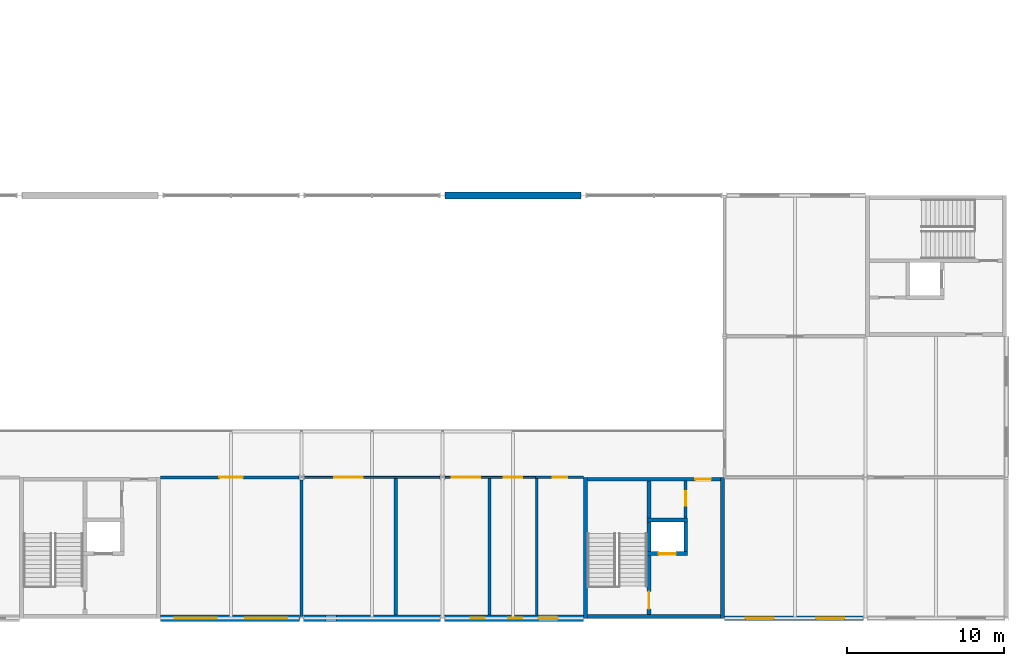
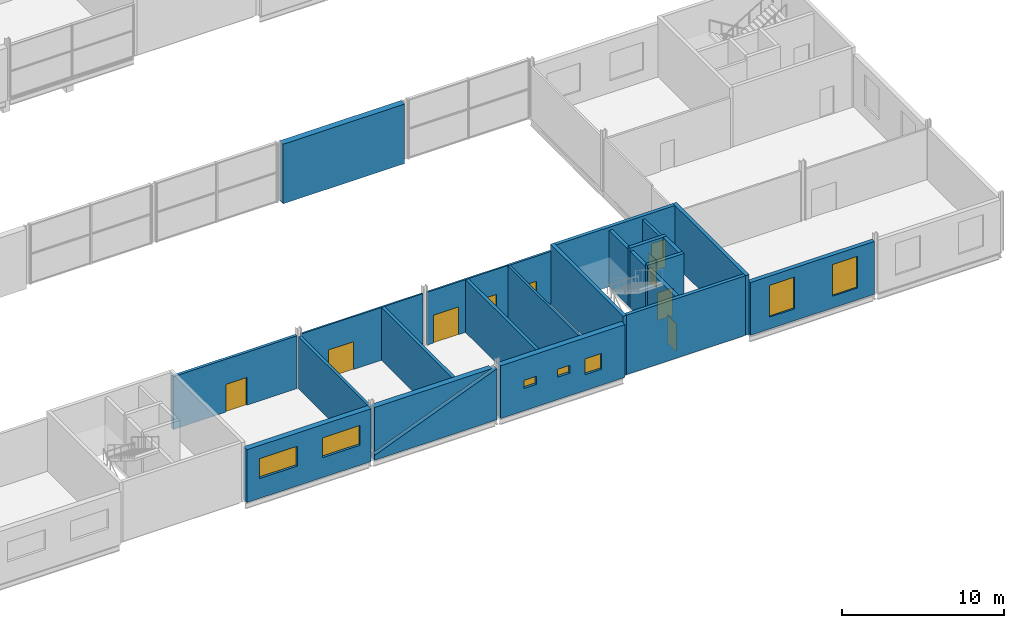
# One storey, part 81 of 97: 23 walls, 9 doors, 7 windows, 16 openings.
"""IFC4 building model written with IfcOpenShell, lengths in metres."""

from ifc_helpers import new_model, si_unit, direction, frame, frame_2d, origin, place, context, subcontext, project, spatial, polyline, rectangle, outline, extrude, material, layer, layer_set, type_object, element, fill, save


model = new_model("IFC4")

# Units and contexts
model_context = context("Model", 3, precision=1e-05, world=origin(), true_north=direction((0.0, 1.0)))
body_context = subcontext(model_context, "Body", "Model", "MODEL_VIEW")
ifc_project = project(units=[si_unit("LENGTHUNIT", "METRE"), si_unit("AREAUNIT", "SQUARE_METRE"), si_unit("VOLUMEUNIT", "CUBIC_METRE"), si_unit("PLANEANGLEUNIT", "RADIAN"), si_unit("MASSUNIT", "GRAM", prefix="KILO")], contexts=[model_context])

# Site, building, storey
site_placement = place(None, origin())
site = spatial("IfcSite", under=ifc_project, at=site_placement, CompositionType="ELEMENT")
building_placement = place(site_placement, origin())
building = spatial("IfcBuilding", under=site, at=building_placement, Name="Corbel Yard City Hall", CompositionType="ELEMENT")
storey_placement = place(building_placement, frame((0.0, 0.0, 6.0)))
storey = spatial("IfcBuildingStorey", under=building, at=storey_placement, Name="L01", CompositionType="ELEMENT", Elevation=6.0)

# Walls
ifc_material_1 = material(Name="Concrete N50 (50 MPa)", Category="concrete")
ifc_layer_1 = layer(ifc_material_1, 0.25)
ifc_layer_set_1 = layer_set([ifc_layer_1], Name="Concrete N50 (50 MPa)")
wall_type_1 = type_object("IfcWallType", Name="Core cell wall 250", PredefinedType="SHEAR", material=ifc_layer_set_1)
for number, where, z_axis, x_axis, name in (
    (1, (153.125, 0.0, 0.0), (0.0, 0.0, 1.0), (0.0, 1.0, 0.0), "Core PC-S4 west wall"),
    (2, (161.875, 0.0, 0.0), (0.0, 0.0, 1.0), (0.0, 1.0, 0.0), "Core PC-S4 east wall"),
):
    element("IfcWall", number, at=place(storey_placement, frame(where, z_axis=z_axis, x_axis=x_axis)), inside=storey, type_object=wall_type_1, Name=name, PredefinedType="SHEAR", context=body_context, shape_type="SweptSolid", body=[
        extrude(rectangle(XDim=9.0, YDim=0.25, at=frame_2d((4.5, 0.0))), origin(), (0.0, 0.0, 1.0), 4.5),
    ])
wall_1_placement = place(storey_placement, frame((153.25, 0.125, 0.0), z_axis=(0.0, 0.0, 1.0), x_axis=(1.0, 0.0, 0.0)))
element("IfcWall", 3, at=wall_1_placement, inside=storey, type_object=wall_type_1, Name="Core PC-S4 south wall", PredefinedType="SHEAR", context=body_context, shape_type="SweptSolid", body=[
    extrude(rectangle(XDim=8.5, YDim=0.25, at=frame_2d((4.25, 0.0))), origin(), (0.0, 0.0, 1.0), 4.5),
])

# Wall, opening, door
wall_2_placement = place(storey_placement, frame((153.25, 8.875, 0.0), z_axis=(0.0, 0.0, 1.0), x_axis=(1.0, 0.0, 0.0)))
wall_2 = element("IfcWall", 4, at=wall_2_placement, inside=storey, type_object=wall_type_1, Name="Core PC-S4 north wall", PredefinedType="SHEAR", context=body_context, shape_type="SweptSolid", body=[
    extrude(rectangle(XDim=8.5, YDim=0.25, at=frame_2d((4.25, 0.0))), origin(), (0.0, 0.0, 1.0), 4.5),
])
opening_1_placement = place(wall_2_placement, frame((6.887451171875, 0.0, 0.0)))
opening_1 = element("IfcOpeningElement", 5, at=opening_1_placement, cuts=wall_2, Name="Opening L01-027", PredefinedType="OPENING", context=body_context, shape_type="SweptSolid", body=[
    extrude(rectangle(XDim=1.0, YDim=2.10009765625, at=frame_2d((0.5, 1.050048828125))), frame((0.0, 0.135009765625, 0.0), z_axis=(0.0, -1.0, 0.0), x_axis=(1.0, 0.0, 0.0)), (0.0, 0.0, 1.0), 0.27001953125),
])
ifc_material_2 = material(Name="Steel Grade G250", Category="steel")
door_type_1 = type_object("IfcDoorType", Name="FS1", OperationType="SINGLE_SWING_LEFT", PredefinedType="DOOR", material=ifc_material_2)
door_1_placement = place(opening_1_placement, frame((1.0, 0.0, 0.0), z_axis=(0.0, 0.0, 1.0), x_axis=(-1.0, 0.0, 0.0)))
door_1 = element("IfcDoor", 6, at=door_1_placement, inside=storey, type_object=door_type_1, Name="Door Lift Lobby", OperationType="SINGLE_SWING_RIGHT", OverallHeight=2.10009765625, OverallWidth=1.0, PredefinedType="DOOR", context=body_context, shape_type="SweptSolid", body=[
    extrude(rectangle(XDim=1.0, YDim=2.10009765625, at=frame_2d((0.5, 1.050048828125))), frame((0.0, 0.02490234375, 0.0), z_axis=(0.0, -1.0, 0.0), x_axis=(1.0, 0.0, 0.0)), (0.0, 0.0, 1.0), 0.050048828125),
])
fill(opening_1, door_1)

# Wall, openings, windows
ifc_material_3 = material(Name="Sandstone cladding", Category="masonry")
ifc_layer_2 = layer(ifc_material_3, 0.0400390625)
ifc_material_4 = material(Name="Air cavity", Category="air")
ifc_layer_3 = layer(ifc_material_4, 0.0400390625)
ifc_material_5 = material(Name="Concrete block", Category="concrete")
ifc_layer_4 = layer(ifc_material_5, 0.18994140625)
ifc_material_6 = material(Name="Gypsum plasterboard", Category="gypsum")
ifc_layer_5 = layer(ifc_material_6, 0.030029296875)
ifc_layer_set_2 = layer_set([ifc_layer_2, ifc_layer_3, ifc_layer_4, ifc_layer_5], Name="Concrete block")
wall_type_2 = type_object("IfcWallType", Name="EW1", PredefinedType="SOLIDWALL", material=ifc_layer_set_2)
wall_3_placement = place(storey_placement, frame((162.0, 0.0, 0.0), z_axis=(0.0, 0.0, 1.0), x_axis=(1.0, 0.0, 0.0)))
wall_3 = element("IfcWall", 7, at=wall_3_placement, inside=storey, type_object=wall_type_2, Name="External wall", PredefinedType="SOLIDWALL", context=body_context, shape_type="SweptSolid", body=[
    extrude(rectangle(XDim=8.8701171875, YDim=0.300048828125, at=frame_2d((4.43505859375, 0.0))), origin(), (0.0, 0.0, 1.0), 3.990966796875),
])
opening_2_placement = place(wall_3_placement, frame((1.35009765625, 0.0, 0.89990234375)))
opening_2 = element("IfcOpeningElement", 8, at=opening_2_placement, cuts=wall_3, Name="Opening WN1", PredefinedType="OPENING", context=body_context, shape_type="SweptSolid", body=[
    extrude(rectangle(XDim=1.800048828125, YDim=2.39990234375, at=frame_2d((0.89990234375, 1.199951171875))), frame((0.0, 0.159912109375, 0.0), z_axis=(0.0, -1.0, 0.0), x_axis=(1.0, 0.0, 0.0)), (0.0, 0.0, 1.0), 0.320068359375),
])
opening_3_placement = place(wall_3_placement, frame((5.85009765625, 0.0, 0.89990234375)))
opening_3 = element("IfcOpeningElement", 9, at=opening_3_placement, cuts=wall_3, Name="Opening WN1", PredefinedType="OPENING", context=body_context, shape_type="SweptSolid", body=[
    extrude(rectangle(XDim=1.800048828125, YDim=2.39990234375, at=frame_2d((0.89990234375, 1.199951171875))), frame((0.0, 0.159912109375, 0.0), z_axis=(0.0, -1.0, 0.0), x_axis=(1.0, 0.0, 0.0)), (0.0, 0.0, 1.0), 0.320068359375),
])
ifc_material_7 = material(Name="Aluminium frame, double glazed low-e glass", Category="aluminium")
window_type_1 = type_object("IfcWindowType", Name="WN1", PartitioningType="SINGLE_PANEL", PredefinedType="WINDOW", material=ifc_material_7)
window_1_placement = place(opening_2_placement, origin())
window_1 = element("IfcWindow", 10, at=window_1_placement, inside=storey, type_object=window_type_1, Name="Window WN1 L01", OverallHeight=2.39990234375, OverallWidth=1.800048828125, PartitioningType="SINGLE_PANEL", PredefinedType="WINDOW", context=body_context, shape_type="SweptSolid", body=[
    extrude(rectangle(XDim=1.800048828125, YDim=2.39990234375, at=frame_2d((0.89990234375, 1.199951171875))), frame((0.0, 0.030029296875, 0.0), z_axis=(0.0, -1.0, 0.0), x_axis=(1.0, 0.0, 0.0)), (0.0, 0.0, 1.0), 0.06005859375),
])
fill(opening_2, window_1)
window_2_placement = place(opening_3_placement, origin())
window_2 = element("IfcWindow", 11, at=window_2_placement, inside=storey, type_object=window_type_1, Name="Window WN1 L01", OverallHeight=2.39990234375, OverallWidth=1.800048828125, PartitioningType="SINGLE_PANEL", PredefinedType="WINDOW", context=body_context, shape_type="SweptSolid", body=[
    extrude(rectangle(XDim=1.800048828125, YDim=2.39990234375, at=frame_2d((0.89990234375, 1.199951171875))), frame((0.0, 0.030029296875, 0.0), z_axis=(0.0, -1.0, 0.0), x_axis=(1.0, 0.0, 0.0)), (0.0, 0.0, 1.0), 0.06005859375),
])
fill(opening_3, window_2)

# Wall
ifc_layer_6 = layer(ifc_material_3, 0.06005859375)
ifc_layer_7 = layer(ifc_material_4, 0.0400390625)
ifc_material_8 = material(Name="Concrete N40 (40 MPa)", Category="concrete")
ifc_layer_8 = layer(ifc_material_8, 0.25)
ifc_material_9 = material(Name="Mineral wool", Category="insulation")
ifc_layer_9 = layer(ifc_material_9, 0.10009765625)
ifc_layer_set_3 = layer_set([ifc_layer_6, ifc_layer_7, ifc_layer_8, ifc_layer_9], Name="Concrete N40 (40 MPa)")
wall_type_3 = type_object("IfcWallType", Name="EW2", PredefinedType="SOLIDWALL", material=ifc_layer_set_3)
wall_4_placement = place(storey_placement, frame((144.157470703125, 27.0, -0.14990234375), z_axis=(0.0, 0.0, 1.0), x_axis=(1.0, 0.0, 0.0)))
element("IfcWall", 12, at=wall_4_placement, inside=storey, type_object=wall_type_3, Name="Entrance pier wall", PredefinedType="SOLIDWALL", context=body_context, shape_type="SweptSolid", body=[
    extrude(rectangle(XDim=8.68505859375, YDim=0.449951171875, at=frame_2d((4.342529296875, 0.0))), origin(), (0.0, 0.0, 1.0), 4.5),
])

# Wall, openings, windows
ifc_layer_10 = layer(ifc_material_6, 0.031982421875)
ifc_layer_11 = layer(ifc_material_4, 0.133056640625)
ifc_layer_12 = layer(ifc_material_5, 0.18994140625)
ifc_material_10 = material(Name="Cement render", Category="render")
ifc_layer_13 = layer(ifc_material_10, 0.0400390625)
ifc_material_11 = material(Name="Acoustic sealant", Category="sealant")
ifc_layer_14 = layer(ifc_material_11, 0.0048828125)
ifc_layer_set_4 = layer_set([ifc_layer_10, ifc_layer_11, ifc_layer_12, ifc_layer_13, ifc_layer_14], Name="Concrete block")
wall_type_4 = type_object("IfcWallType", Name="EW3", PredefinedType="SOLIDWALL", material=ifc_layer_set_4)
wall_5_placement = place(storey_placement, frame((126.0, 0.0, 0.0), z_axis=(0.0, 0.0, 1.0), x_axis=(1.0, 0.0, 0.0)))
wall_5 = element("IfcWall", 13, at=wall_5_placement, inside=storey, type_object=wall_type_4, Name="Acoustic wall", PredefinedType="SOLIDWALL", context=body_context, shape_type="SweptSolid", body=[
    extrude(rectangle(XDim=8.8701171875, YDim=0.39990234375, at=frame_2d((4.43505859375, 0.0))), origin(), (0.0, 0.0, 1.0), 3.990966796875),
])
opening_4_placement = place(wall_5_placement, frame((0.89990234375, 0.0, 1.5)))
opening_4 = element("IfcOpeningElement", 14, at=opening_4_placement, cuts=wall_5, Name="Opening WN3", PredefinedType="OPENING", context=body_context, shape_type="SweptSolid", body=[
    extrude(rectangle(XDim=2.699951171875, YDim=1.5, at=frame_2d((1.35009765625, 0.75))), frame((0.0, 0.2099609375, 0.0), z_axis=(0.0, -1.0, 0.0), x_axis=(1.0, 0.0, 0.0)), (0.0, 0.0, 1.0), 0.419921875),
])
opening_5_placement = place(wall_5_placement, frame((5.39990234375, 0.0, 1.5)))
opening_5 = element("IfcOpeningElement", 15, at=opening_5_placement, cuts=wall_5, Name="Opening WN3", PredefinedType="OPENING", context=body_context, shape_type="SweptSolid", body=[
    extrude(rectangle(XDim=2.699951171875, YDim=1.5, at=frame_2d((1.35009765625, 0.75))), frame((0.0, 0.2099609375, 0.0), z_axis=(0.0, -1.0, 0.0), x_axis=(1.0, 0.0, 0.0)), (0.0, 0.0, 1.0), 0.419921875),
])
ifc_material_12 = material(Name="Aluminium frame, laminated acoustic glass", Category="aluminium")
window_type_2 = type_object("IfcWindowType", Name="WN3", PartitioningType="SINGLE_PANEL", PredefinedType="WINDOW", material=ifc_material_12)
window_3_placement = place(opening_4_placement, origin())
window_3 = element("IfcWindow", 16, at=window_3_placement, inside=storey, type_object=window_type_2, Name="Window WN3 L01", OverallHeight=1.5, OverallWidth=2.699951171875, PartitioningType="SINGLE_PANEL", PredefinedType="WINDOW", context=body_context, shape_type="SweptSolid", body=[
    extrude(rectangle(XDim=2.699951171875, YDim=1.5, at=frame_2d((1.35009765625, 0.75))), frame((0.0, 0.030029296875, 0.0), z_axis=(0.0, -1.0, 0.0), x_axis=(1.0, 0.0, 0.0)), (0.0, 0.0, 1.0), 0.06005859375),
])
fill(opening_4, window_3)
window_4_placement = place(opening_5_placement, origin())
window_4 = element("IfcWindow", 17, at=window_4_placement, inside=storey, type_object=window_type_2, Name="Window WN3 L01", OverallHeight=1.5, OverallWidth=2.699951171875, PartitioningType="SINGLE_PANEL", PredefinedType="WINDOW", context=body_context, shape_type="SweptSolid", body=[
    extrude(rectangle(XDim=2.699951171875, YDim=1.5, at=frame_2d((1.35009765625, 0.75))), frame((0.0, 0.030029296875, 0.0), z_axis=(0.0, -1.0, 0.0), x_axis=(1.0, 0.0, 0.0)), (0.0, 0.0, 1.0), 0.06005859375),
])
fill(opening_5, window_4)

# Walls
wall_6_placement = place(storey_placement, frame((135.1298828125, 0.0, 0.0), z_axis=(0.0, 0.0, 1.0), x_axis=(1.0, 0.0, 0.0)))
element("IfcWall", 18, at=wall_6_placement, inside=storey, type_object=wall_type_4, Name="Acoustic wall", PredefinedType="SOLIDWALL", context=body_context, shape_type="SweptSolid", body=[
    extrude(outline(polyline([(8.739990234375, 0.0), (0.0, 0.0), (0.0, 0.5), (0.048095703125, 0.379638671875), (8.739990234375, 3.8603515625), (8.739990234375, 0.0)])), frame((0.0, 0.199951171875, 0.0), z_axis=(0.0, -1.0, 0.0), x_axis=(1.0, 0.0, 0.0)), (0.0, 0.0, 1.0), 0.39990234375),
])
wall_7_placement = place(storey_placement, frame((135.1298828125, 0.0, 0.0), z_axis=(0.0, 0.0, 1.0), x_axis=(1.0, 0.0, 0.0)))
element("IfcWall", 19, at=wall_7_placement, inside=storey, type_object=wall_type_4, Name="Acoustic wall", PredefinedType="SOLIDWALL", context=body_context, shape_type="SweptSolid", body=[
    extrude(outline(polyline([(0.0, 3.990966796875), (8.369140625, 3.990966796875), (0.0, 0.6396484375), (0.0, 3.990966796875)])), frame((0.0, 0.199951171875, 0.0), z_axis=(0.0, -1.0, 0.0), x_axis=(1.0, 0.0, 0.0)), (0.0, 0.0, 1.0), 0.39990234375),
])

# Wall, openings, windows
wall_8_placement = place(storey_placement, frame((144.1298828125, 0.0, 0.0), z_axis=(0.0, 0.0, 1.0), x_axis=(1.0, 0.0, 0.0)))
wall_8 = element("IfcWall", 20, at=wall_8_placement, inside=storey, type_object=wall_type_4, Name="Acoustic wall", PredefinedType="SOLIDWALL", context=body_context, shape_type="SweptSolid", body=[
    extrude(rectangle(XDim=8.8701171875, YDim=0.39990234375, at=frame_2d((4.43505859375, 0.0))), origin(), (0.0, 0.0, 1.0), 3.990966796875),
])
opening_6_placement = place(wall_8_placement, frame((1.669921875, 0.0, 1.699951171875)))
opening_6 = element("IfcOpeningElement", 21, at=opening_6_placement, cuts=wall_8, Name="Opening WN10", PredefinedType="OPENING", context=body_context, shape_type="SweptSolid", body=[
    extrude(rectangle(XDim=0.89990234375, YDim=0.60009765625, at=frame_2d((0.449951171875, 0.300048828125))), frame((0.0, 0.2099609375, 0.0), z_axis=(0.0, -1.0, 0.0), x_axis=(1.0, 0.0, 0.0)), (0.0, 0.0, 1.0), 0.419921875),
])
opening_7_placement = place(wall_8_placement, frame((6.02001953125, 0.0, 1.199951171875)))
opening_7 = element("IfcOpeningElement", 22, at=opening_7_placement, cuts=wall_8, Name="Opening WN13", PredefinedType="OPENING", context=body_context, shape_type="SweptSolid", body=[
    extrude(rectangle(XDim=1.199951171875, YDim=1.199951171875, at=frame_2d((0.60009765625, 0.60009765625))), frame((0.0, 0.2099609375, 0.0), z_axis=(0.0, -1.0, 0.0), x_axis=(1.0, 0.0, 0.0)), (0.0, 0.0, 1.0), 0.419921875),
])
opening_8_placement = place(wall_8_placement, frame((4.050048828125, 0.0, 1.699951171875)))
opening_8 = element("IfcOpeningElement", 23, at=opening_8_placement, cuts=wall_8, Name="Opening WN10", PredefinedType="OPENING", context=body_context, shape_type="SweptSolid", body=[
    extrude(rectangle(XDim=0.89990234375, YDim=0.60009765625, at=frame_2d((0.449951171875, 0.300048828125))), frame((0.0, 0.2099609375, 0.0), z_axis=(0.0, -1.0, 0.0), x_axis=(1.0, 0.0, 0.0)), (0.0, 0.0, 1.0), 0.419921875),
])
ifc_material_13 = material(Name="Aluminium frame, obscure laminated glass", Category="aluminium")
window_type_3 = type_object("IfcWindowType", Name="WN10", PartitioningType="SINGLE_PANEL", PredefinedType="WINDOW", material=ifc_material_13)
window_5_placement = place(opening_6_placement, origin())
window_5 = element("IfcWindow", 24, at=window_5_placement, inside=storey, type_object=window_type_3, Name="Window WN10 L01", OverallHeight=0.60009765625, OverallWidth=0.89990234375, PartitioningType="SINGLE_PANEL", PredefinedType="WINDOW", context=body_context, shape_type="SweptSolid", body=[
    extrude(rectangle(XDim=0.89990234375, YDim=0.60009765625, at=frame_2d((0.449951171875, 0.300048828125))), frame((0.0, 0.030029296875, 0.0), z_axis=(0.0, -1.0, 0.0), x_axis=(1.0, 0.0, 0.0)), (0.0, 0.0, 1.0), 0.06005859375),
])
fill(opening_6, window_5)
window_6_placement = place(opening_8_placement, origin())
window_6 = element("IfcWindow", 25, at=window_6_placement, inside=storey, type_object=window_type_3, Name="Window WN10 L01", OverallHeight=0.60009765625, OverallWidth=0.89990234375, PartitioningType="SINGLE_PANEL", PredefinedType="WINDOW", context=body_context, shape_type="SweptSolid", body=[
    extrude(rectangle(XDim=0.89990234375, YDim=0.60009765625, at=frame_2d((0.449951171875, 0.300048828125))), frame((0.0, 0.030029296875, 0.0), z_axis=(0.0, -1.0, 0.0), x_axis=(1.0, 0.0, 0.0)), (0.0, 0.0, 1.0), 0.06005859375),
])
fill(opening_8, window_6)
window_type_4 = type_object("IfcWindowType", Name="WN13", PartitioningType="SINGLE_PANEL", PredefinedType="WINDOW", material=ifc_material_7)
window_7_placement = place(opening_7_placement, origin())
window_7 = element("IfcWindow", 26, at=window_7_placement, inside=storey, type_object=window_type_4, Name="Window WN13 L01", OverallHeight=1.199951171875, OverallWidth=1.199951171875, PartitioningType="SINGLE_PANEL", PredefinedType="WINDOW", context=body_context, shape_type="SweptSolid", body=[
    extrude(rectangle(XDim=1.199951171875, YDim=1.199951171875, at=frame_2d((0.60009765625, 0.60009765625))), frame((0.0, 0.030029296875, 0.0), z_axis=(0.0, -1.0, 0.0), x_axis=(1.0, 0.0, 0.0)), (0.0, 0.0, 1.0), 0.06005859375),
])
fill(opening_7, window_7)

# Wall, opening, door
ifc_layer_15 = layer(ifc_material_8, 0.25)
ifc_layer_set_5 = layer_set([ifc_layer_15], Name="Concrete N40 (40 MPa)")
wall_type_5 = type_object("IfcWallType", Name="IW2", PredefinedType="SOLIDWALL", material=ifc_layer_set_5)
wall_9_placement = place(storey_placement, frame((157.175048828125, 0.25, 0.0), z_axis=(0.0, 0.0, 1.0), x_axis=(0.0, 1.0, 0.0)))
wall_9 = element("IfcWall", 27, at=wall_9_placement, inside=storey, type_object=wall_type_5, Name="Stair enclosure wall", PredefinedType="SOLIDWALL", context=body_context, shape_type="SweptSolid", body=[
    extrude(rectangle(XDim=8.5, YDim=0.25, at=frame_2d((4.25, 0.0))), origin(), (0.0, 0.0, 1.0), 4.25),
])
opening_9_placement = place(wall_9_placement, frame((0.35009765625, 0.0, 0.0)))
opening_9 = element("IfcOpeningElement", 28, at=opening_9_placement, cuts=wall_9, Name="Opening L01-026", PredefinedType="OPENING", context=body_context, shape_type="SweptSolid", body=[
    extrude(rectangle(XDim=1.10009765625, YDim=2.10009765625, at=frame_2d((0.550048828125, 1.050048828125))), frame((0.0, 0.135009765625, 0.0), z_axis=(0.0, -1.0, 0.0), x_axis=(1.0, 0.0, 0.0)), (0.0, 0.0, 1.0), 0.27001953125),
])
door_type_2 = type_object("IfcDoorType", Name="FS11", OperationType="SINGLE_SWING_LEFT", PredefinedType="DOOR", material=ifc_material_2)
door_2_placement = place(opening_9_placement, origin())
door_2 = element("IfcDoor", 29, at=door_2_placement, inside=storey, type_object=door_type_2, Name="Door Exit Stair 5", OperationType="SINGLE_SWING_LEFT", OverallHeight=2.10009765625, OverallWidth=1.10009765625, PredefinedType="DOOR", context=body_context, shape_type="SweptSolid", body=[
    extrude(rectangle(XDim=1.10009765625, YDim=2.10009765625, at=frame_2d((0.550048828125, 1.050048828125))), frame((0.0, 0.02490234375, 0.0), z_axis=(0.0, -1.0, 0.0), x_axis=(1.0, 0.0, 0.0)), (0.0, 0.0, 1.0), 0.050048828125),
])
fill(opening_9, door_2)

wall_10_placement = place(storey_placement, frame((157.050048828125, 4.125, 0.0), z_axis=(0.0, 0.0, 1.0), x_axis=(1.0, 0.0, 0.0)))
wall_10 = element("IfcWall", 30, at=wall_10_placement, inside=storey, type_object=wall_type_5, Name="Lift LP5 shaft wall", PredefinedType="SOLIDWALL", context=body_context, shape_type="SweptSolid", body=[
    extrude(rectangle(XDim=2.599853515625, YDim=0.25, at=frame_2d((1.2998046875, 0.0))), origin(), (0.0, 0.0, 1.0), 4.5),
])
opening_10_placement = place(wall_10_placement, frame((0.75, 0.0, 0.0)))
opening_10 = element("IfcOpeningElement", 31, at=opening_10_placement, cuts=wall_10, Name="Opening L01-005", PredefinedType="OPENING", context=body_context, shape_type="SweptSolid", body=[
    extrude(rectangle(XDim=1.10009765625, YDim=2.10009765625, at=frame_2d((0.550048828125, 1.050048828125))), frame((0.0, 0.135009765625, 0.0), z_axis=(0.0, -1.0, 0.0), x_axis=(1.0, 0.0, 0.0)), (0.0, 0.0, 1.0), 0.27001953125),
])
ifc_material_14 = material(Name="Stainless steel Grade 316", Category="steel")
door_type_3 = type_object("IfcDoorType", Name="LD1", OperationType="DOUBLE_DOOR_SLIDING", PredefinedType="DOOR", material=ifc_material_14)
door_3_placement = place(opening_10_placement, origin())
door_3 = element("IfcDoor", 32, at=door_3_placement, inside=storey, type_object=door_type_3, Name="Lift LP5 landing door", OperationType="DOUBLE_DOOR_SLIDING", OverallHeight=2.10009765625, OverallWidth=1.10009765625, PredefinedType="DOOR", context=body_context, shape_type="SweptSolid", body=[
    extrude(rectangle(XDim=1.10009765625, YDim=2.10009765625, at=frame_2d((0.550048828125, 1.050048828125))), frame((0.0, 0.02490234375, 0.0), z_axis=(0.0, -1.0, 0.0), x_axis=(1.0, 0.0, 0.0)), (0.0, 0.0, 1.0), 0.050048828125),
])
fill(opening_10, door_3)

# Walls
wall_11_placement = place(storey_placement, frame((157.050048828125, 6.27490234375, 0.0), z_axis=(0.0, 0.0, 1.0), x_axis=(1.0, 0.0, 0.0)))
element("IfcWall", 33, at=wall_11_placement, inside=storey, type_object=wall_type_5, Name="Lift LP5 shaft wall", PredefinedType="SOLIDWALL", context=body_context, shape_type="SweptSolid", body=[
    extrude(rectangle(XDim=2.599853515625, YDim=0.25, at=frame_2d((1.2998046875, 0.0))), origin(), (0.0, 0.0, 1.0), 4.5),
])
wall_12_placement = place(storey_placement, frame((159.52490234375, 4.25, 0.0), z_axis=(0.0, 0.0, 1.0), x_axis=(0.0, 1.0, 0.0)))
element("IfcWall", 34, at=wall_12_placement, inside=storey, type_object=wall_type_5, Name="Lift LP5 shaft wall", PredefinedType="SOLIDWALL", context=body_context, shape_type="SweptSolid", body=[
    extrude(rectangle(XDim=1.89990234375, YDim=0.25, at=frame_2d((0.949951171875, 0.0))), origin(), (0.0, 0.0, 1.0), 4.5),
])

# Wall, opening, door
ifc_layer_16 = layer(ifc_material_6, 0.028076171875)
ifc_material_15 = material(Name="Steel Grade G550 (550 MPa yield)", Category="steel")
ifc_layer_17 = layer(ifc_material_15, 0.06396484375)
ifc_layer_18 = layer(ifc_material_6, 0.028076171875)
ifc_layer_set_6 = layer_set([ifc_layer_16, ifc_layer_17, ifc_layer_18], Name="Steel Grade G550 (550 MPa yield)")
wall_type_6 = type_object("IfcWallType", Name="PT1", PredefinedType="PARTITIONING", material=ifc_layer_set_6)
wall_13_placement = place(storey_placement, frame((135.157470703125, 9.0, 0.0), z_axis=(0.0, 0.0, 1.0), x_axis=(1.0, 0.0, 0.0)))
wall_13 = element("IfcWall", 35, at=wall_13_placement, inside=storey, type_object=wall_type_6, Name="Partition", PredefinedType="PARTITIONING", context=body_context, shape_type="SweptSolid", body=[
    extrude(rectangle(XDim=8.68505859375, YDim=0.1201171875, at=frame_2d((4.342529296875, 0.0))), origin(), (0.0, 0.0, 1.0), 3.990966796875),
])
opening_11_placement = place(wall_13_placement, frame((1.9423828125, 0.0, 0.0)))
opening_11 = element("IfcOpeningElement", 36, at=opening_11_placement, cuts=wall_13, Name="Opening L01-040", PredefinedType="OPENING", context=body_context, shape_type="SweptSolid", body=[
    extrude(rectangle(XDim=1.800048828125, YDim=2.10009765625, at=frame_2d((0.89990234375, 1.050048828125))), frame((0.0, 0.070068359375, 0.0), z_axis=(0.0, -1.0, 0.0), x_axis=(1.0, 0.0, 0.0)), (0.0, 0.0, 1.0), 0.14013671875),
])
ifc_material_16 = material(Name="Timber", Category="wood")
door_type_4 = type_object("IfcDoorType", Name="D3", OperationType="DOUBLE_DOOR_SINGLE_SWING", PredefinedType="DOOR", material=ifc_material_16)
door_4_placement = place(opening_11_placement, origin())
door_4 = element("IfcDoor", 37, at=door_4_placement, inside=storey, type_object=door_type_4, Name="Door Women's WC Block", OperationType="DOUBLE_DOOR_SINGLE_SWING", OverallHeight=2.10009765625, OverallWidth=1.800048828125, PredefinedType="DOOR", context=body_context, shape_type="SweptSolid", body=[
    extrude(rectangle(XDim=1.800048828125, YDim=2.10009765625, at=frame_2d((0.89990234375, 1.050048828125))), frame((0.0, 0.02490234375, 0.0), z_axis=(0.0, -1.0, 0.0), x_axis=(1.0, 0.0, 0.0)), (0.0, 0.0, 1.0), 0.050048828125),
])
fill(opening_11, door_4)

# Wall, openings, doors
wall_14_placement = place(storey_placement, frame((144.157470703125, 9.0, 0.0), z_axis=(0.0, 0.0, 1.0), x_axis=(1.0, 0.0, 0.0)))
wall_14 = element("IfcWall", 38, at=wall_14_placement, inside=storey, type_object=wall_type_6, Name="Partition", PredefinedType="PARTITIONING", context=body_context, shape_type="SweptSolid", body=[
    extrude(rectangle(XDim=5.762451171875, YDim=0.1201171875, at=frame_2d((2.88134765625, 0.0))), origin(), (0.0, 0.0, 1.0), 3.990966796875),
])
opening_12_placement = place(wall_14_placement, frame((0.4423828125, 0.0, 0.0)))
opening_12 = element("IfcOpeningElement", 39, at=opening_12_placement, cuts=wall_14, Name="Opening L01-041", PredefinedType="OPENING", context=body_context, shape_type="SweptSolid", body=[
    extrude(rectangle(XDim=1.800048828125, YDim=2.10009765625, at=frame_2d((0.89990234375, 1.050048828125))), frame((0.0, 0.070068359375, 0.0), z_axis=(0.0, -1.0, 0.0), x_axis=(1.0, 0.0, 0.0)), (0.0, 0.0, 1.0), 0.14013671875),
])
opening_13_placement = place(wall_14_placement, frame((3.742431640625, 0.0, 0.0)))
opening_13 = element("IfcOpeningElement", 40, at=opening_13_placement, cuts=wall_14, Name="Opening L01-042", PredefinedType="OPENING", context=body_context, shape_type="SweptSolid", body=[
    extrude(rectangle(XDim=1.199951171875, YDim=2.10009765625, at=frame_2d((0.60009765625, 1.050048828125))), frame((0.0, 0.070068359375, 0.0), z_axis=(0.0, -1.0, 0.0), x_axis=(1.0, 0.0, 0.0)), (0.0, 0.0, 1.0), 0.14013671875),
])
door_5_placement = place(opening_12_placement, origin())
door_5 = element("IfcDoor", 41, at=door_5_placement, inside=storey, type_object=door_type_4, Name="Door Men's WC Block", OperationType="DOUBLE_DOOR_SINGLE_SWING", OverallHeight=2.10009765625, OverallWidth=1.800048828125, PredefinedType="DOOR", context=body_context, shape_type="SweptSolid", body=[
    extrude(rectangle(XDim=1.800048828125, YDim=2.10009765625, at=frame_2d((0.89990234375, 1.050048828125))), frame((0.0, 0.02490234375, 0.0), z_axis=(0.0, -1.0, 0.0), x_axis=(1.0, 0.0, 0.0)), (0.0, 0.0, 1.0), 0.050048828125),
])
fill(opening_12, door_5)
door_type_5 = type_object("IfcDoorType", Name="D7", OperationType="SINGLE_SWING_LEFT", PredefinedType="DOOR", material=ifc_material_16)
door_6_placement = place(opening_13_placement, frame((1.199951171875, 0.0, 0.0), z_axis=(0.0, 0.0, 1.0), x_axis=(-1.0, 0.0, 0.0)))
door_6 = element("IfcDoor", 42, at=door_6_placement, inside=storey, type_object=door_type_5, Name="Door Accessible WC", OperationType="SINGLE_SWING_RIGHT", OverallHeight=2.10009765625, OverallWidth=1.199951171875, PredefinedType="DOOR", context=body_context, shape_type="SweptSolid", body=[
    extrude(rectangle(XDim=1.199951171875, YDim=2.10009765625, at=frame_2d((0.60009765625, 1.050048828125))), frame((0.0, 0.02490234375, 0.0), z_axis=(0.0, -1.0, 0.0), x_axis=(1.0, 0.0, 0.0)), (0.0, 0.0, 1.0), 0.050048828125),
])
fill(opening_13, door_6)

# Wall, opening, door
ifc_layer_19 = layer(ifc_material_6, 0.031982421875)
ifc_layer_20 = layer(ifc_material_15, 0.135986328125)
ifc_layer_21 = layer(ifc_material_6, 0.031982421875)
ifc_layer_set_7 = layer_set([ifc_layer_19, ifc_layer_20, ifc_layer_21], Name="Steel Grade G550 (550 MPa yield)")
wall_type_7 = type_object("IfcWallType", Name="PT2", PredefinedType="PARTITIONING", material=ifc_layer_set_7)
wall_15_placement = place(storey_placement, frame((126.0, 9.0, 0.0), z_axis=(0.0, 0.0, 1.0), x_axis=(1.0, 0.0, 0.0)))
wall_15 = element("IfcWall", 43, at=wall_15_placement, inside=storey, type_object=wall_type_7, Name="Acoustic wall", PredefinedType="PARTITIONING", context=body_context, shape_type="SweptSolid", body=[
    extrude(rectangle(XDim=8.842529296875, YDim=0.199951171875, at=frame_2d((4.42138671875, 0.0))), origin(), (0.0, 0.0, 1.0), 3.990966796875),
])
opening_14_placement = place(wall_15_placement, frame((3.75, 0.0, 0.0)))
opening_14 = element("IfcOpeningElement", 44, at=opening_14_placement, cuts=wall_15, Name="Opening L01-035", PredefinedType="OPENING", context=body_context, shape_type="SweptSolid", body=[
    extrude(rectangle(XDim=1.5, YDim=2.10009765625, at=frame_2d((0.75, 1.050048828125))), frame((0.0, 0.10986328125, 0.0), z_axis=(0.0, -1.0, 0.0), x_axis=(1.0, 0.0, 0.0)), (0.0, 0.0, 1.0), 0.219970703125),
])
door_type_6 = type_object("IfcDoorType", Name="D10", OperationType="DOUBLE_DOOR_SINGLE_SWING", PredefinedType="DOOR", material=ifc_material_16)
door_7_placement = place(opening_14_placement, origin())
door_7 = element("IfcDoor", 45, at=door_7_placement, inside=storey, type_object=door_type_6, Name="Door Committee Room 7", OperationType="DOUBLE_DOOR_SINGLE_SWING", OverallHeight=2.10009765625, OverallWidth=1.5, PredefinedType="DOOR", context=body_context, shape_type="SweptSolid", body=[
    extrude(rectangle(XDim=1.5, YDim=2.10009765625, at=frame_2d((0.75, 1.050048828125))), frame((0.0, 0.02490234375, 0.0), z_axis=(0.0, -1.0, 0.0), x_axis=(1.0, 0.0, 0.0)), (0.0, 0.0, 1.0), 0.050048828125),
])
fill(opening_14, door_7)

# Wall
wall_16_placement = place(storey_placement, frame((135.0, 0.1298828125, 0.0), z_axis=(0.0, 0.0, 1.0), x_axis=(0.0, 1.0, 0.0)))
element("IfcWall", 46, at=wall_16_placement, inside=storey, type_object=wall_type_7, Name="Acoustic wall", PredefinedType="PARTITIONING", context=body_context, shape_type="SweptSolid", body=[
    extrude(rectangle(XDim=8.712646484375, YDim=0.199951171875, at=frame_2d((4.3564453125, 0.0))), origin(), (0.0, 0.0, 1.0), 3.947021484375),
])

# Wall, opening, door
ifc_layer_22 = layer(ifc_material_6, 0.031982421875)
ifc_layer_23 = layer(ifc_material_15, 0.095947265625)
ifc_layer_24 = layer(ifc_material_6, 0.031982421875)
ifc_layer_set_8 = layer_set([ifc_layer_22, ifc_layer_23, ifc_layer_24], Name="Steel Grade G550 (550 MPa yield)")
wall_type_8 = type_object("IfcWallType", Name="PT3", PredefinedType="PARTITIONING", material=ifc_layer_set_8)
wall_17_placement = place(storey_placement, frame((149.919921875, 9.0, 0.0), z_axis=(0.0, 0.0, 1.0), x_axis=(1.0, 0.0, 0.0)))
wall_17 = element("IfcWall", 47, at=wall_17_placement, inside=storey, type_object=wall_type_8, Name="Fire-resisting wall", PredefinedType="PARTITIONING", context=body_context, shape_type="SweptSolid", body=[
    extrude(rectangle(XDim=3.080078125, YDim=0.159912109375, at=frame_2d((1.5400390625, 0.0))), origin(), (0.0, 0.0, 1.0), 3.990966796875),
])
opening_15_placement = place(wall_17_placement, frame((1.1201171875, 0.0, 0.0)))
opening_15 = element("IfcOpeningElement", 48, at=opening_15_placement, cuts=wall_17, Name="Opening L01-043", PredefinedType="OPENING", context=body_context, shape_type="SweptSolid", body=[
    extrude(rectangle(XDim=0.919921875, YDim=2.10009765625, at=frame_2d((0.4599609375, 1.050048828125))), frame((0.0, 0.08984375, 0.0), z_axis=(0.0, -1.0, 0.0), x_axis=(1.0, 0.0, 0.0)), (0.0, 0.0, 1.0), 0.179931640625),
])
door_type_7 = type_object("IfcDoorType", Name="FD5", OperationType="SINGLE_SWING_RIGHT", PredefinedType="DOOR", material=ifc_material_2)
door_8_placement = place(opening_15_placement, frame((0.919921875, 0.0, 0.0), z_axis=(0.0, 0.0, 1.0), x_axis=(-1.0, 0.0, 0.0)))
door_8 = element("IfcDoor", 49, at=door_8_placement, inside=storey, type_object=door_type_7, Name="Door Cleaners' Store", OperationType="SINGLE_SWING_RIGHT", OverallHeight=2.10009765625, OverallWidth=0.919921875, PredefinedType="DOOR", context=body_context, shape_type="SweptSolid", body=[
    extrude(rectangle(XDim=0.919921875, YDim=2.10009765625, at=frame_2d((0.4599609375, 1.050048828125))), frame((0.0, 0.02490234375, 0.0), z_axis=(0.0, -1.0, 0.0), x_axis=(1.0, 0.0, 0.0)), (0.0, 0.0, 1.0), 0.050048828125),
])
fill(opening_15, door_8)

# Wall
wall_18_placement = place(storey_placement, frame((150.0, 0.199951171875, 0.0), z_axis=(0.0, 0.0, 1.0), x_axis=(0.0, 1.0, 0.0)))
element("IfcWall", 50, at=wall_18_placement, inside=storey, type_object=wall_type_8, Name="Fire-resisting wall", PredefinedType="PARTITIONING", context=body_context, shape_type="SweptSolid", body=[
    extrude(rectangle(XDim=8.719970703125, YDim=0.159912109375, at=frame_2d((4.35986328125, 0.0))), origin(), (0.0, 0.0, 1.0), 3.990966796875),
])

# Wall, opening, door
ifc_material_17 = material(Name="Concrete block", Category="concrete")
ifc_layer_25 = layer(ifc_material_17, 0.18994140625)
ifc_layer_set_9 = layer_set([ifc_layer_25], Name="Concrete block")
wall_type_9 = type_object("IfcWallType", Name="PT4", PredefinedType="PARTITIONING", material=ifc_layer_set_9)
wall_19_placement = place(storey_placement, frame((159.52490234375, 6.39990234375, 0.0), z_axis=(0.0, 0.0, 1.0), x_axis=(0.0, 1.0, 0.0)))
wall_19 = element("IfcWall", 51, at=wall_19_placement, inside=storey, type_object=wall_type_9, Name="Fire-resisting block wall", PredefinedType="PARTITIONING", context=body_context, shape_type="SweptSolid", body=[
    extrude(rectangle(XDim=2.35009765625, YDim=0.18994140625, at=frame_2d((1.175048828125, 0.0))), origin(), (0.0, 0.0, 1.0), 4.25),
])
opening_16_placement = place(wall_19_placement, frame((0.777587890625, 0.0, 0.0)))
opening_16 = element("IfcOpeningElement", 52, at=opening_16_placement, cuts=wall_19, Name="Opening L01-028", PredefinedType="OPENING", context=body_context, shape_type="SweptSolid", body=[
    extrude(rectangle(XDim=0.919921875, YDim=2.10009765625, at=frame_2d((0.4599609375, 1.050048828125))), frame((0.0, 0.10498046875, 0.0), z_axis=(0.0, -1.0, 0.0), x_axis=(1.0, 0.0, 0.0)), (0.0, 0.0, 1.0), 0.2099609375),
])
door_type_8 = type_object("IfcDoorType", Name="FS5", OperationType="SINGLE_SWING_RIGHT", PredefinedType="DOOR", material=ifc_material_2)
door_9_placement = place(opening_16_placement, origin())
door_9 = element("IfcDoor", 53, at=door_9_placement, inside=storey, type_object=door_type_8, Name="Door Service Riser", OperationType="SINGLE_SWING_RIGHT", OverallHeight=2.10009765625, OverallWidth=0.919921875, PredefinedType="DOOR", context=body_context, shape_type="SweptSolid", body=[
    extrude(rectangle(XDim=0.919921875, YDim=2.10009765625, at=frame_2d((0.4599609375, 1.050048828125))), frame((0.0, 0.02490234375, 0.0), z_axis=(0.0, -1.0, 0.0), x_axis=(1.0, 0.0, 0.0)), (0.0, 0.0, 1.0), 0.050048828125),
])
fill(opening_16, door_9)

# Walls
ifc_layer_26 = layer(ifc_material_6, 0.031982421875)
ifc_layer_27 = layer(ifc_material_15, 0.156005859375)
ifc_layer_28 = layer(ifc_material_6, 0.031982421875)
ifc_layer_set_10 = layer_set([ifc_layer_26, ifc_layer_27, ifc_layer_28], Name="Steel Grade G550 (550 MPa yield)")
wall_type_10 = type_object("IfcWallType", Name="PT5", PredefinedType="PLUMBINGWALL", material=ifc_layer_set_10)
for number, where, z_axis, x_axis, name in (
    (54, (141.0, 0.199951171875, 0.0), (0.0, 0.0, 1.0), (0.0, 1.0, 0.0), "Wet wall"),
    (55, (147.0, 0.199951171875, 0.0), (0.0, 0.0, 1.0), (0.0, 1.0, 0.0), "Wet wall"),
):
    element("IfcWall", number, at=place(storey_placement, frame(where, z_axis=z_axis, x_axis=x_axis)), inside=storey, type_object=wall_type_10, Name=name, PredefinedType="PLUMBINGWALL", context=body_context, shape_type="SweptSolid", body=[
        extrude(rectangle(XDim=8.739990234375, YDim=0.219970703125, at=frame_2d((4.3701171875, 0.0))), origin(), (0.0, 0.0, 1.0), 3.990966796875),
    ])

save(model, "model.ifc")
